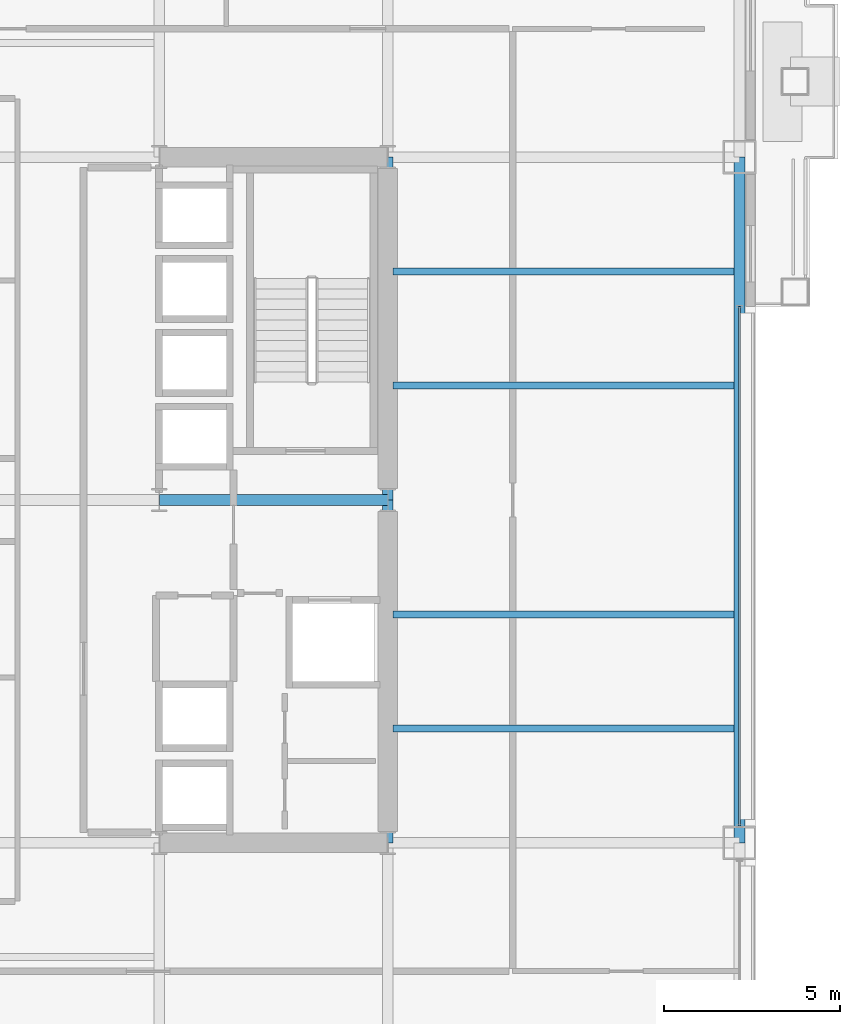
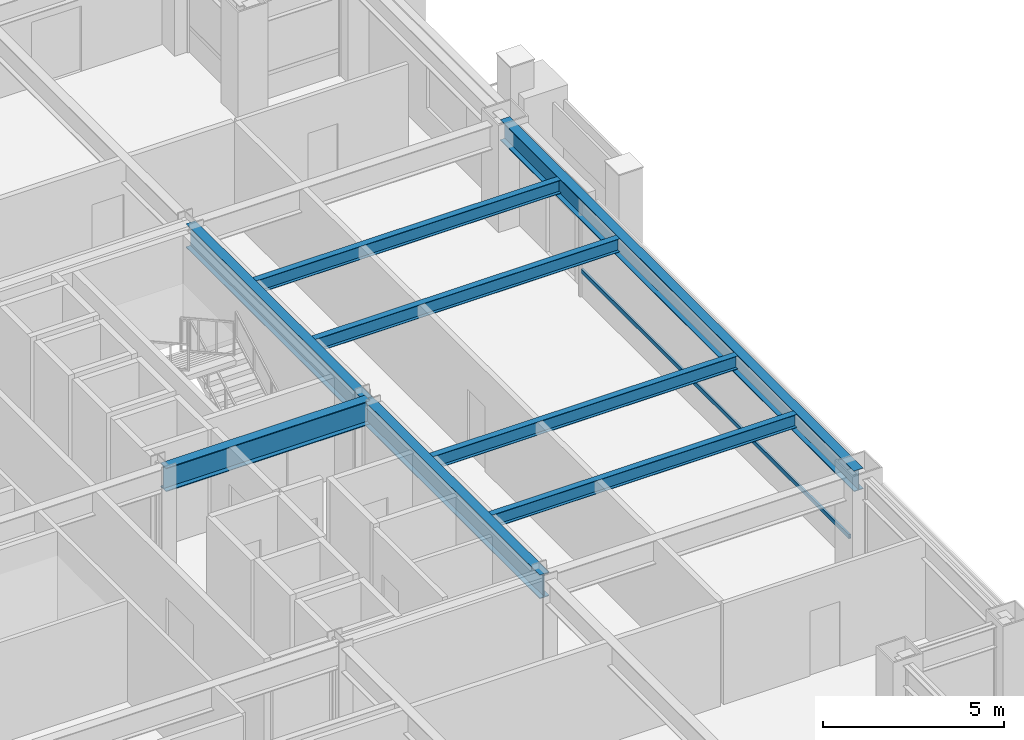
# One storey, part 12 of 31: 8 beams, 1 member, 1 element without a shape of its own.
"""IFC4 building model written with IfcOpenShell, lengths in metres."""

from ifc_helpers import new_model, si_unit, direction, frame, origin, origin_2d, place, context, subcontext, project, spatial, hollow_rectangle, i_section, extrude, material, layer, layer_set, material_profile, profile_set, type_object, element, aggregate, save


model = new_model("IFC4")

# Units and contexts
model_context = context("Model", 3, precision=1e-05, world=origin(), true_north=direction((0.0, 1.0)))
body_context = subcontext(model_context, "Body", "Model", "MODEL_VIEW")
ifc_project = project(units=[si_unit("LENGTHUNIT", "METRE"), si_unit("AREAUNIT", "SQUARE_METRE"), si_unit("VOLUMEUNIT", "CUBIC_METRE"), si_unit("PLANEANGLEUNIT", "RADIAN"), si_unit("MASSUNIT", "GRAM", prefix="KILO")], contexts=[model_context])

# Site, building, storey
site_placement = place(None, origin())
site = spatial("IfcSite", under=ifc_project, at=site_placement, CompositionType="ELEMENT")
building_placement = place(site_placement, origin())
building = spatial("IfcBuilding", under=site, at=building_placement, Name="Brelmoor Portico Tower", CompositionType="ELEMENT")
storey_placement = place(building_placement, frame((0.0, 0.0, 42.0)))
storey = spatial("IfcBuildingStorey", under=building, at=storey_placement, Name="L10", CompositionType="ELEMENT", Elevation=42.0)

# Beams
ifc_material_1 = material(Name="Steel Q355B", Category="steel")
ifc_material_profile_1 = material_profile(ifc_material_1, i_section(OverallWidth=0.199951171875, OverallDepth=0.449951171875, WebThickness=0.009033203125, FlangeThickness=0.013916015625, at=origin_2d()), Name="HN 450x200x9x14")
ifc_profile_set_1 = profile_set([ifc_material_profile_1], Name="Steel Q355B")
beam_type_1 = type_object("IfcBeamType", Name="BM-JS-450", PredefinedType="JOIST", material=ifc_profile_set_1)
for number, where, z_axis, x_axis, name in (
    (1, (14.699951171875, -6.5, 3.175048828125), (1.0, 0.0, 0.0), (0.0, 1.0, 0.0), "L10 Secondary Wing Joist JS-E09"),
    (2, (14.699951171875, -3.25, 3.175048828125), (1.0, 0.0, 0.0), (0.0, 1.0, 0.0), "L10 Secondary Wing Joist JS-E10"),
    (3, (14.699951171875, 3.25, 3.175048828125), (1.0, 0.0, 0.0), (0.0, 1.0, 0.0), "L10 Secondary Wing Joist JS-E11"),
    (4, (14.699951171875, 6.5, 3.175048828125), (1.0, 0.0, 0.0), (0.0, 1.0, 0.0), "L10 Secondary Wing Joist JS-E12"),
):
    element("IfcBeam", number, at=place(storey_placement, frame(where, z_axis=z_axis, x_axis=x_axis)), inside=storey, type_object=beam_type_1, Name=name, PredefinedType="JOIST", context=body_context, shape_type="SweptSolid", body=[
        extrude(i_section(OverallWidth=0.199951171875, OverallDepth=0.449951171875, WebThickness=0.009033203125, FlangeThickness=0.013916015625, at=origin_2d()), origin(), (0.0, 0.0, 1.0), 9.699951171875),
    ])
ifc_material_profile_2 = material_profile(ifc_material_1, i_section(OverallWidth=0.300048828125, OverallDepth=0.800048828125, WebThickness=0.013916015625, FlangeThickness=0.02587890625, at=origin_2d()), Name="HN 800x300x14x26")
ifc_profile_set_2 = profile_set([ifc_material_profile_2], Name="Steel Q355B")
beam_type_2 = type_object("IfcBeamType", Name="BM-PG-800", PredefinedType="BEAM", material=ifc_profile_set_2)
for number, where, z_axis, x_axis, name in (
    (5, (14.550048828125, -9.75, 3.0), (0.0, 1.0, 0.0), (-1.0, 0.0, 0.0), "L10 Primary Floor Girder PG-12"),
    (6, (14.550048828125, 0.0, 3.0), (0.0, 1.0, 0.0), (-1.0, 0.0, 0.0), "L10 Primary Floor Girder PG-13"),
):
    element("IfcBeam", number, at=place(storey_placement, frame(where, z_axis=z_axis, x_axis=x_axis)), inside=storey, type_object=beam_type_2, Name=name, PredefinedType="BEAM", context=body_context, shape_type="SweptSolid", body=[
        extrude(i_section(OverallWidth=0.300048828125, OverallDepth=0.800048828125, WebThickness=0.013916015625, FlangeThickness=0.02587890625, at=origin_2d()), origin(), (0.0, 0.0, 1.0), 9.75),
    ])
beam_1_placement = place(storey_placement, frame((8.050048828125, 0.0, 3.0), z_axis=(1.0, 0.0, 0.0), x_axis=(0.0, 1.0, 0.0)))
element("IfcBeam", 7, at=beam_1_placement, inside=storey, type_object=beam_type_2, Name="L10 Primary Floor Girder PG-26", PredefinedType="BEAM", context=body_context, shape_type="SweptSolid", body=[
    extrude(i_section(OverallWidth=0.300048828125, OverallDepth=0.800048828125, WebThickness=0.013916015625, FlangeThickness=0.02587890625, at=origin_2d()), origin(), (0.0, 0.0, 1.0), 6.5),
])
ifc_material_profile_3 = material_profile(ifc_material_1, i_section(OverallWidth=0.300048828125, OverallDepth=0.699951171875, WebThickness=0.012939453125, FlangeThickness=0.02392578125, at=origin_2d()), Name="HN 700x300x13x24")
ifc_profile_set_3 = profile_set([ifc_material_profile_3], Name="Steel Q355B")
beam_type_3 = type_object("IfcBeamType", Name="BM-SP-700", PredefinedType="SPANDREL", material=ifc_profile_set_3)
beam_2_placement = place(storey_placement, frame((24.550048828125, -9.75, 3.050048828125), z_axis=(0.0, 1.0, 0.0), x_axis=(-1.0, 0.0, 0.0)))
element("IfcBeam", 8, at=beam_2_placement, inside=storey, type_object=beam_type_3, Name="L10 Perimeter Spandrel Beam SP-23", PredefinedType="SPANDREL", context=body_context, shape_type="SweptSolid", body=[
    extrude(i_section(OverallWidth=0.300048828125, OverallDepth=0.699951171875, WebThickness=0.012939453125, FlangeThickness=0.02392578125, at=origin_2d()), origin(), (0.0, 0.0, 1.0), 19.5),
])

# Curtain wall, member
ifc_material_2 = material(Name="Anodised Aluminium Alloy 6063-T6", Category="aluminium")
ifc_layer = layer(ifc_material_2, 0.179931640625)
ifc_layer_set = layer_set([ifc_layer], Name="Anodised Aluminium Alloy 6063-T6")
curtain_wall_type = type_object("IfcCurtainWallType", Name="CW-TOWER-Z1", PredefinedType="NOTDEFINED", material=ifc_layer_set)
curtain_wall_placement = place(storey_placement, origin())
curtain_wall = element("IfcCurtainWall", 9, at=curtain_wall_placement, inside=storey, type_object=curtain_wall_type, Name="L10 Curtain Wall CW-L10-4L-2", PredefinedType="NOTDEFINED")
ifc_material_profile_4 = material_profile(ifc_material_2, hollow_rectangle(XDim=0.06494140625, YDim=0.139892578125, WallThickness=0.00390625, at=origin_2d()), Name="ALU TRANSOM 65x140")
ifc_profile_set_4 = profile_set([ifc_material_profile_4], Name="Anodised Aluminium Alloy 6063-T6")
member_type = type_object("IfcMemberType", Name="MB-CW-TRAN-140", PredefinedType="USERDEFINED", material=ifc_profile_set_4)
member_placement = place(storey_placement, frame((24.550048828125, -9.264892578125, 0.85009765625), z_axis=(0.0, 1.0, 0.0), x_axis=(-1.0, 0.0, 0.0)))
member = element("IfcMember", 10, at=member_placement, type_object=member_type, Name="CW-L10-4L-2 Transom 1-00", ObjectType="TRANSOM", PredefinedType="USERDEFINED", context=body_context, shape_type="SweptSolid", body=[
    extrude(hollow_rectangle(XDim=0.06494140625, YDim=0.139892578125, WallThickness=0.00390625, at=origin_2d()), origin(), (0.0, 0.0, 1.0), 14.764892578125),
])
aggregate(curtain_wall, [member])

save(model, "model.ifc")
